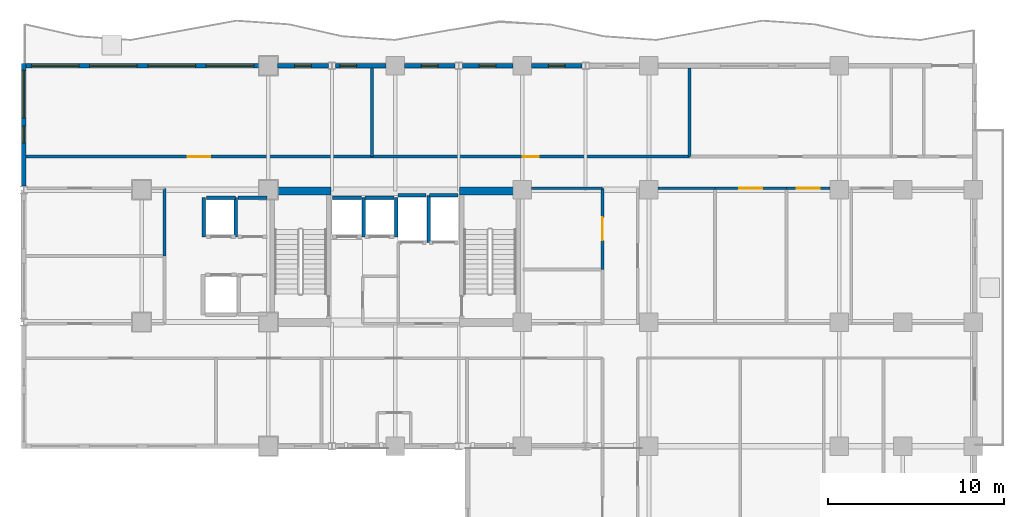
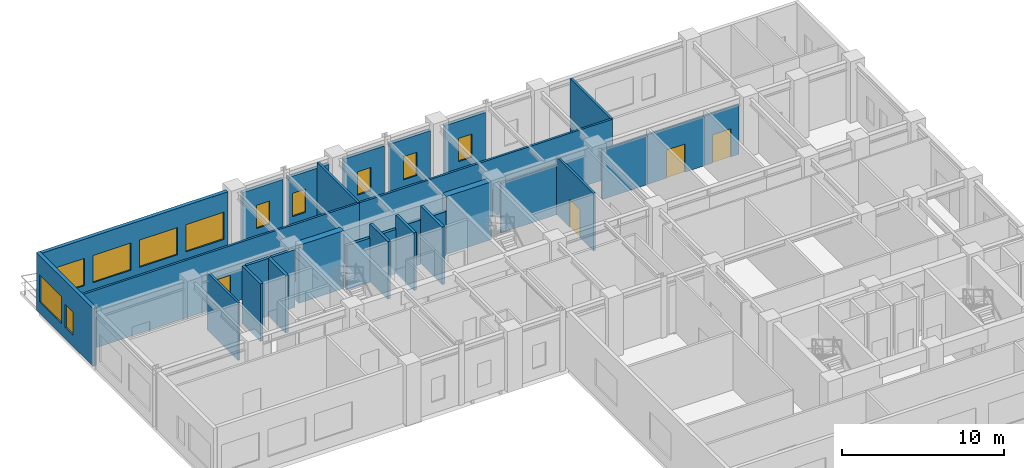
# One storey, part 8 of 14: 30 walls, 11 windows, 5 doors, 16 openings.
"""IFC4 building model written with IfcOpenShell, lengths in metres."""

from ifc_helpers import new_model, si_unit, direction, frame, frame_2d, origin, place, context, subcontext, project, spatial, rectangle, extrude, material, layer, layer_set, type_object, element, fill, save


model = new_model("IFC4")

# Units and contexts
model_context = context("Model", 3, precision=1e-05, world=origin(), true_north=direction((0.0, 1.0)))
body_context = subcontext(model_context, "Body", "Model", "MODEL_VIEW")
ifc_project = project(units=[si_unit("LENGTHUNIT", "METRE"), si_unit("AREAUNIT", "SQUARE_METRE"), si_unit("VOLUMEUNIT", "CUBIC_METRE"), si_unit("PLANEANGLEUNIT", "RADIAN"), si_unit("MASSUNIT", "GRAM", prefix="KILO")], contexts=[model_context])

# Site, building, storey
site_placement = place(None, origin())
site = spatial("IfcSite", under=ifc_project, at=site_placement, CompositionType="ELEMENT")
building_placement = place(site_placement, origin())
building = spatial("IfcBuilding", under=site, at=building_placement, Name="Kaliganga Portal Commons", CompositionType="ELEMENT")
storey_placement = place(building_placement, frame((0.0, 0.0, 135.60009765625)))
storey = spatial("IfcBuildingStorey", under=building, at=storey_placement, Name="L34", CompositionType="ELEMENT", Elevation=135.60009765625)

# Walls
ifc_material_1 = material(Name="Concrete C60/75", Category="concrete")
ifc_layer_1 = layer(ifc_material_1, 0.449951171875)
ifc_layer_set_1 = layer_set([ifc_layer_1], Name="Concrete C60/75")
wall_type_1 = type_object("IfcWallType", Name="WL-CORE-450", PredefinedType="SHEAR", material=ifc_layer_set_1)
for number, where, z_axis, x_axis, name in (
    (1, (14.75, 36.074951171875, 0.0), (0.0, 0.0, 1.0), (1.0, 0.0, 0.0), "Core A N-West Shear Wall L34"),
    (2, (25.25, 36.074951171875, 0.0), (0.0, 0.0, 1.0), (1.0, 0.0, 0.0), "Core A N-East Shear Wall L34"),
):
    element("IfcWall", number, at=place(storey_placement, frame(where, z_axis=z_axis, x_axis=x_axis)), inside=storey, type_object=wall_type_1, Name=name, PredefinedType="SHEAR", context=body_context, shape_type="SweptSolid", body=[
        extrude(rectangle(XDim=3.199951171875, YDim=0.449951171875, at=frame_2d((1.60009765625, 0.0))), origin(), (0.0, 0.0, 1.0), 4.35986328125),
    ])

# Wall, opening, window
ifc_material_2 = material(Name="Insulated Aluminium-Clad Spandrel Assembly", Category="aluminium")
ifc_layer_2 = layer(ifc_material_2, 0.260009765625)
ifc_layer_set_2 = layer_set([ifc_layer_2], Name="Insulated Aluminium-Clad Spandrel Assembly")
wall_type_2 = type_object("IfcWallType", Name="WL-EXT-SPAND-260", PredefinedType="STANDARD", material=ifc_layer_set_2)
wall_1_placement = place(storey_placement, frame((29.325927734375, 43.199951171875, 0.0), z_axis=(0.0, 0.0, 1.0), x_axis=(1.0, 0.0, 0.0)))
wall_1 = element("IfcWall", 3, at=wall_1_placement, inside=storey, type_object=wall_type_2, Name="Exterior Envelope Wall L34 P1-E02-S4", PredefinedType="STANDARD", context=body_context, shape_type="SweptSolid", body=[
    extrude(rectangle(XDim=2.87109375, YDim=0.260009765625, at=frame_2d((1.435546875, 0.0))), origin(), (0.0, 0.0, 1.0), 3.889892578125),
])
opening_1_placement = place(wall_1_placement, frame((0.96044921875, 0.0, 0.85009765625)))
opening_1 = element("IfcOpeningElement", 4, at=opening_1_placement, cuts=wall_1, Name="Opening W-04", PredefinedType="OPENING", context=body_context, shape_type="SweptSolid", body=[
    extrude(rectangle(XDim=0.949951171875, YDim=1.75, at=frame_2d((0.47509765625, 0.875))), frame((0.0, 0.14013671875, 0.0), z_axis=(0.0, -1.0, 0.0), x_axis=(1.0, 0.0, 0.0)), (0.0, 0.0, 1.0), 0.280029296875),
])
ifc_material_3 = material(Name="Thermally Broken Aluminium and Low-E Double Glazing", Category="aluminium")
window_type_1 = type_object("IfcWindowType", Name="WIN-NARROW-950", PartitioningType="SINGLE_PANEL", PredefinedType="WINDOW", material=ifc_material_3)
window_1_placement = place(opening_1_placement, origin())
window_1 = element("IfcWindow", 5, at=window_1_placement, inside=storey, type_object=window_type_1, Name="Facade Window L34-P1E02S4-00", OverallHeight=1.75, OverallWidth=0.949951171875, PartitioningType="SINGLE_PANEL", PredefinedType="WINDOW", context=body_context, shape_type="SweptSolid", body=[
    extrude(rectangle(XDim=0.949951171875, YDim=1.75, at=frame_2d((0.47509765625, 0.875))), frame((0.0, 0.030029296875, 0.0), z_axis=(0.0, -1.0, 0.0), x_axis=(1.0, 0.0, 0.0)), (0.0, 0.0, 1.0), 0.06005859375),
])
fill(opening_1, window_1)

wall_2_placement = place(storey_placement, frame((25.403076171875, 43.199951171875, 0.0), z_axis=(0.0, 0.0, 1.0), x_axis=(1.0, 0.0, 0.0)))
wall_2 = element("IfcWall", 6, at=wall_2_placement, inside=storey, type_object=wall_type_2, Name="Exterior Envelope Wall L34 P1-E02-S5", PredefinedType="STANDARD", context=body_context, shape_type="SweptSolid", body=[
    extrude(rectangle(XDim=2.870849609375, YDim=0.260009765625, at=frame_2d((1.435546875, 0.0))), origin(), (0.0, 0.0, 1.0), 3.889892578125),
])
opening_2_placement = place(wall_2_placement, frame((0.96044921875, 0.0, 0.85009765625)))
opening_2 = element("IfcOpeningElement", 7, at=opening_2_placement, cuts=wall_2, Name="Opening W-04", PredefinedType="OPENING", context=body_context, shape_type="SweptSolid", body=[
    extrude(rectangle(XDim=0.949951171875, YDim=1.75, at=frame_2d((0.47509765625, 0.875))), frame((0.0, 0.14013671875, 0.0), z_axis=(0.0, -1.0, 0.0), x_axis=(1.0, 0.0, 0.0)), (0.0, 0.0, 1.0), 0.280029296875),
])
window_2_placement = place(opening_2_placement, origin())
window_2 = element("IfcWindow", 8, at=window_2_placement, inside=storey, type_object=window_type_1, Name="Facade Window L34-P1E02S5-00", OverallHeight=1.75, OverallWidth=0.949951171875, PartitioningType="SINGLE_PANEL", PredefinedType="WINDOW", context=body_context, shape_type="SweptSolid", body=[
    extrude(rectangle(XDim=0.949951171875, YDim=1.75, at=frame_2d((0.47509765625, 0.875))), frame((0.0, 0.030029296875, 0.0), z_axis=(0.0, -1.0, 0.0), x_axis=(1.0, 0.0, 0.0)), (0.0, 0.0, 1.0), 0.06005859375),
])
fill(opening_2, window_2)

wall_3_placement = place(storey_placement, frame((22.1259765625, 43.199951171875, 0.0), z_axis=(0.0, 0.0, 1.0), x_axis=(1.0, 0.0, 0.0)))
wall_3 = element("IfcWall", 9, at=wall_3_placement, inside=storey, type_object=wall_type_2, Name="Exterior Envelope Wall L34 P1-E02-S6", PredefinedType="STANDARD", context=body_context, shape_type="SweptSolid", body=[
    extrude(rectangle(XDim=2.87109375, YDim=0.260009765625, at=frame_2d((1.435546875, 0.0))), origin(), (0.0, 0.0, 1.0), 3.889892578125),
])
opening_3_placement = place(wall_3_placement, frame((0.96044921875, 0.0, 0.85009765625)))
opening_3 = element("IfcOpeningElement", 10, at=opening_3_placement, cuts=wall_3, Name="Opening W-04", PredefinedType="OPENING", context=body_context, shape_type="SweptSolid", body=[
    extrude(rectangle(XDim=0.949951171875, YDim=1.75, at=frame_2d((0.47509765625, 0.875))), frame((0.0, 0.14013671875, 0.0), z_axis=(0.0, -1.0, 0.0), x_axis=(1.0, 0.0, 0.0)), (0.0, 0.0, 1.0), 0.280029296875),
])
window_3_placement = place(opening_3_placement, origin())
window_3 = element("IfcWindow", 11, at=window_3_placement, inside=storey, type_object=window_type_1, Name="Facade Window L34-P1E02S6-00", OverallHeight=1.75, OverallWidth=0.949951171875, PartitioningType="SINGLE_PANEL", PredefinedType="WINDOW", context=body_context, shape_type="SweptSolid", body=[
    extrude(rectangle(XDim=0.949951171875, YDim=1.75, at=frame_2d((0.47509765625, 0.875))), frame((0.0, 0.030029296875, 0.0), z_axis=(0.0, -1.0, 0.0), x_axis=(1.0, 0.0, 0.0)), (0.0, 0.0, 1.0), 0.06005859375),
])
fill(opening_3, window_3)

wall_4_placement = place(storey_placement, frame((18.202880859375, 43.199951171875, 0.0), z_axis=(0.0, 0.0, 1.0), x_axis=(1.0, 0.0, 0.0)))
wall_4 = element("IfcWall", 12, at=wall_4_placement, inside=storey, type_object=wall_type_2, Name="Exterior Envelope Wall L34 P1-E02-S7", PredefinedType="STANDARD", context=body_context, shape_type="SweptSolid", body=[
    extrude(rectangle(XDim=2.87109375, YDim=0.260009765625, at=frame_2d((1.435546875, 0.0))), origin(), (0.0, 0.0, 1.0), 3.889892578125),
])
opening_4_placement = place(wall_4_placement, frame((0.24853515625, 0.0, 0.85009765625)))
opening_4 = element("IfcOpeningElement", 13, at=opening_4_placement, cuts=wall_4, Name="Opening W-04", PredefinedType="OPENING", context=body_context, shape_type="SweptSolid", body=[
    extrude(rectangle(XDim=0.949951171875, YDim=1.75, at=frame_2d((0.47509765625, 0.875))), frame((0.0, 0.14013671875, 0.0), z_axis=(0.0, -1.0, 0.0), x_axis=(1.0, 0.0, 0.0)), (0.0, 0.0, 1.0), 0.280029296875),
])
window_4_placement = place(opening_4_placement, origin())
window_4 = element("IfcWindow", 14, at=window_4_placement, inside=storey, type_object=window_type_1, Name="Facade Window L34-P1E02S7-N1", OverallHeight=1.75, OverallWidth=0.949951171875, PartitioningType="SINGLE_PANEL", PredefinedType="WINDOW", context=body_context, shape_type="SweptSolid", body=[
    extrude(rectangle(XDim=0.949951171875, YDim=1.75, at=frame_2d((0.47509765625, 0.875))), frame((0.0, 0.030029296875, 0.0), z_axis=(0.0, -1.0, 0.0), x_axis=(1.0, 0.0, 0.0)), (0.0, 0.0, 1.0), 0.06005859375),
])
fill(opening_4, window_4)

wall_5_placement = place(storey_placement, frame((14.926025390625, 43.199951171875, 0.0), z_axis=(0.0, 0.0, 1.0), x_axis=(1.0, 0.0, 0.0)))
wall_5 = element("IfcWall", 15, at=wall_5_placement, inside=storey, type_object=wall_type_2, Name="Exterior Envelope Wall L34 P1-E02-S8", PredefinedType="STANDARD", context=body_context, shape_type="SweptSolid", body=[
    extrude(rectangle(XDim=2.87109375, YDim=0.260009765625, at=frame_2d((1.435546875, 0.0))), origin(), (0.0, 0.0, 1.0), 3.889892578125),
])
opening_5_placement = place(wall_5_placement, frame((0.96044921875, 0.0, 0.85009765625)))
opening_5 = element("IfcOpeningElement", 16, at=opening_5_placement, cuts=wall_5, Name="Opening W-04", PredefinedType="OPENING", context=body_context, shape_type="SweptSolid", body=[
    extrude(rectangle(XDim=0.949951171875, YDim=1.75, at=frame_2d((0.47509765625, 0.875))), frame((0.0, 0.14013671875, 0.0), z_axis=(0.0, -1.0, 0.0), x_axis=(1.0, 0.0, 0.0)), (0.0, 0.0, 1.0), 0.280029296875),
])
window_5_placement = place(opening_5_placement, origin())
window_5 = element("IfcWindow", 17, at=window_5_placement, inside=storey, type_object=window_type_1, Name="Facade Window L34-P1E02S8-00", OverallHeight=1.75, OverallWidth=0.949951171875, PartitioningType="SINGLE_PANEL", PredefinedType="WINDOW", context=body_context, shape_type="SweptSolid", body=[
    extrude(rectangle(XDim=0.949951171875, YDim=1.75, at=frame_2d((0.47509765625, 0.875))), frame((0.0, 0.030029296875, 0.0), z_axis=(0.0, -1.0, 0.0), x_axis=(1.0, 0.0, 0.0)), (0.0, 0.0, 1.0), 0.06005859375),
])
fill(opening_5, window_5)

# Wall, openings, windows
wall_6_placement = place(storey_placement, frame((0.635009765625, 43.199951171875, 0.0), z_axis=(0.0, 0.0, 1.0), x_axis=(1.0, 0.0, 0.0)))
wall_6 = element("IfcWall", 18, at=wall_6_placement, inside=storey, type_object=wall_type_2, Name="Exterior Envelope Wall L34 P1-E02-S9", PredefinedType="STANDARD", context=body_context, shape_type="SweptSolid", body=[
    extrude(rectangle(XDim=13.239013671875, YDim=0.260009765625, at=frame_2d((6.61962890625, 0.0))), origin(), (0.0, 0.0, 1.0), 4.33984375),
])
opening_6_placement = place(wall_6_placement, frame((0.304931640625, 0.0, 0.85009765625)))
opening_6 = element("IfcOpeningElement", 19, at=opening_6_placement, cuts=wall_6, Name="Opening W-07", PredefinedType="OPENING", context=body_context, shape_type="SweptSolid", body=[
    extrude(rectangle(XDim=2.699951171875, YDim=2.050048828125, at=frame_2d((1.35009765625, 1.02490234375))), frame((0.0, 0.14013671875, 0.0), z_axis=(0.0, -1.0, 0.0), x_axis=(1.0, 0.0, 0.0)), (0.0, 0.0, 1.0), 0.280029296875),
])
opening_7_placement = place(wall_6_placement, frame((3.614501953125, 0.0, 0.85009765625)))
opening_7 = element("IfcOpeningElement", 20, at=opening_7_placement, cuts=wall_6, Name="Opening W-07", PredefinedType="OPENING", context=body_context, shape_type="SweptSolid", body=[
    extrude(rectangle(XDim=2.699951171875, YDim=2.050048828125, at=frame_2d((1.35009765625, 1.02490234375))), frame((0.0, 0.14013671875, 0.0), z_axis=(0.0, -1.0, 0.0), x_axis=(1.0, 0.0, 0.0)), (0.0, 0.0, 1.0), 0.280029296875),
])
opening_8_placement = place(wall_6_placement, frame((6.92431640625, 0.0, 0.85009765625)))
opening_8 = element("IfcOpeningElement", 21, at=opening_8_placement, cuts=wall_6, Name="Opening W-07", PredefinedType="OPENING", context=body_context, shape_type="SweptSolid", body=[
    extrude(rectangle(XDim=2.699951171875, YDim=2.050048828125, at=frame_2d((1.35009765625, 1.02490234375))), frame((0.0, 0.14013671875, 0.0), z_axis=(0.0, -1.0, 0.0), x_axis=(1.0, 0.0, 0.0)), (0.0, 0.0, 1.0), 0.280029296875),
])
opening_9_placement = place(wall_6_placement, frame((10.234130859375, 0.0, 0.85009765625)))
opening_9 = element("IfcOpeningElement", 22, at=opening_9_placement, cuts=wall_6, Name="Opening W-07", PredefinedType="OPENING", context=body_context, shape_type="SweptSolid", body=[
    extrude(rectangle(XDim=2.699951171875, YDim=2.050048828125, at=frame_2d((1.35009765625, 1.02490234375))), frame((0.0, 0.14013671875, 0.0), z_axis=(0.0, -1.0, 0.0), x_axis=(1.0, 0.0, 0.0)), (0.0, 0.0, 1.0), 0.280029296875),
])
window_type_2 = type_object("IfcWindowType", Name="WIN-LOUNGE-2700", PartitioningType="TRIPLE_PANEL_VERTICAL", PredefinedType="WINDOW", material=ifc_material_3)
window_6_placement = place(opening_6_placement, origin())
window_6 = element("IfcWindow", 23, at=window_6_placement, inside=storey, type_object=window_type_2, Name="Facade Window L34-P1E02S9-00", OverallHeight=2.050048828125, OverallWidth=2.699951171875, PartitioningType="SINGLE_PANEL", PredefinedType="WINDOW", context=body_context, shape_type="SweptSolid", body=[
    extrude(rectangle(XDim=2.699951171875, YDim=2.050048828125, at=frame_2d((1.35009765625, 1.02490234375))), frame((0.0, 0.030029296875, 0.0), z_axis=(0.0, -1.0, 0.0), x_axis=(1.0, 0.0, 0.0)), (0.0, 0.0, 1.0), 0.06005859375),
])
fill(opening_6, window_6)
window_7_placement = place(opening_7_placement, origin())
window_7 = element("IfcWindow", 24, at=window_7_placement, inside=storey, type_object=window_type_2, Name="Facade Window L34-P1E02S9-01", OverallHeight=2.050048828125, OverallWidth=2.699951171875, PartitioningType="SINGLE_PANEL", PredefinedType="WINDOW", context=body_context, shape_type="SweptSolid", body=[
    extrude(rectangle(XDim=2.699951171875, YDim=2.050048828125, at=frame_2d((1.35009765625, 1.02490234375))), frame((0.0, 0.030029296875, 0.0), z_axis=(0.0, -1.0, 0.0), x_axis=(1.0, 0.0, 0.0)), (0.0, 0.0, 1.0), 0.06005859375),
])
fill(opening_7, window_7)
window_8_placement = place(opening_8_placement, origin())
window_8 = element("IfcWindow", 25, at=window_8_placement, inside=storey, type_object=window_type_2, Name="Facade Window L34-P1E02S9-02", OverallHeight=2.050048828125, OverallWidth=2.699951171875, PartitioningType="SINGLE_PANEL", PredefinedType="WINDOW", context=body_context, shape_type="SweptSolid", body=[
    extrude(rectangle(XDim=2.699951171875, YDim=2.050048828125, at=frame_2d((1.35009765625, 1.02490234375))), frame((0.0, 0.030029296875, 0.0), z_axis=(0.0, -1.0, 0.0), x_axis=(1.0, 0.0, 0.0)), (0.0, 0.0, 1.0), 0.06005859375),
])
fill(opening_8, window_8)
window_9_placement = place(opening_9_placement, origin())
window_9 = element("IfcWindow", 26, at=window_9_placement, inside=storey, type_object=window_type_2, Name="Facade Window L34-P1E02S9-03", OverallHeight=2.050048828125, OverallWidth=2.699951171875, PartitioningType="SINGLE_PANEL", PredefinedType="WINDOW", context=body_context, shape_type="SweptSolid", body=[
    extrude(rectangle(XDim=2.699951171875, YDim=2.050048828125, at=frame_2d((1.35009765625, 1.02490234375))), frame((0.0, 0.030029296875, 0.0), z_axis=(0.0, -1.0, 0.0), x_axis=(1.0, 0.0, 0.0)), (0.0, 0.0, 1.0), 0.06005859375),
])
fill(opening_9, window_9)

wall_7_placement = place(storey_placement, frame((0.5, 36.35791015625, 0.0), z_axis=(0.0, 0.0, 1.0), x_axis=(0.0, 1.0, 0.0)))
wall_7 = element("IfcWall", 27, at=wall_7_placement, inside=storey, type_object=wall_type_2, Name="Exterior Envelope Wall L34 P1-E03-S1", PredefinedType="STANDARD", context=body_context, shape_type="SweptSolid", body=[
    extrude(rectangle(XDim=6.97216796875, YDim=0.260009765625, at=frame_2d((3.486083984375, 0.0))), origin(), (0.0, 0.0, 1.0), 4.33984375),
])
opening_10_placement = place(wall_7_placement, frame((3.87890625, 0.0, 0.85009765625)))
opening_10 = element("IfcOpeningElement", 28, at=opening_10_placement, cuts=wall_7, Name="Opening W-07", PredefinedType="OPENING", context=body_context, shape_type="SweptSolid", body=[
    extrude(rectangle(XDim=2.699951171875, YDim=2.050048828125, at=frame_2d((1.35009765625, 1.02490234375))), frame((0.0, 0.14013671875, 0.0), z_axis=(0.0, -1.0, 0.0), x_axis=(1.0, 0.0, 0.0)), (0.0, 0.0, 1.0), 0.280029296875),
])
opening_11_placement = place(wall_7_placement, frame((2.453125, 0.0, 0.85009765625)))
opening_11 = element("IfcOpeningElement", 29, at=opening_11_placement, cuts=wall_7, Name="Opening W-04", PredefinedType="OPENING", context=body_context, shape_type="SweptSolid", body=[
    extrude(rectangle(XDim=0.949951171875, YDim=1.75, at=frame_2d((0.47509765625, 0.875))), frame((0.0, 0.14013671875, 0.0), z_axis=(0.0, -1.0, 0.0), x_axis=(1.0, 0.0, 0.0)), (0.0, 0.0, 1.0), 0.280029296875),
])
window_10_placement = place(opening_10_placement, origin())
window_10 = element("IfcWindow", 30, at=window_10_placement, inside=storey, type_object=window_type_2, Name="Facade Window L34-P1E03S1-01", OverallHeight=2.050048828125, OverallWidth=2.699951171875, PartitioningType="SINGLE_PANEL", PredefinedType="WINDOW", context=body_context, shape_type="SweptSolid", body=[
    extrude(rectangle(XDim=2.699951171875, YDim=2.050048828125, at=frame_2d((1.35009765625, 1.02490234375))), frame((0.0, 0.030029296875, 0.0), z_axis=(0.0, -1.0, 0.0), x_axis=(1.0, 0.0, 0.0)), (0.0, 0.0, 1.0), 0.06005859375),
])
fill(opening_10, window_10)
window_11_placement = place(opening_11_placement, origin())
window_11 = element("IfcWindow", 31, at=window_11_placement, inside=storey, type_object=window_type_1, Name="Facade Window L34-P1E03S1-N5", OverallHeight=1.75, OverallWidth=0.949951171875, PartitioningType="SINGLE_PANEL", PredefinedType="WINDOW", context=body_context, shape_type="SweptSolid", body=[
    extrude(rectangle(XDim=0.949951171875, YDim=1.75, at=frame_2d((0.47509765625, 0.875))), frame((0.0, 0.030029296875, 0.0), z_axis=(0.0, -1.0, 0.0), x_axis=(1.0, 0.0, 0.0)), (0.0, 0.0, 1.0), 0.06005859375),
])
fill(opening_11, window_11)

# Wall, opening, door
ifc_material_4 = material(Name="Fire-Rated Gypsum Board on Steel Stud", Category="steel")
ifc_layer_3 = layer(ifc_material_4, 0.14990234375)
ifc_layer_set_3 = layer_set([ifc_layer_3], Name="Fire-Rated Gypsum Board on Steel Stud")
wall_type_3 = type_object("IfcWallType", Name="WL-PART-CORR-150", PredefinedType="PARTITIONING", material=ifc_layer_set_3)
wall_8_placement = place(storey_placement, frame((0.632080078125, 38.0400390625, 0.0), z_axis=(0.0, 0.0, 1.0), x_axis=(1.0, 0.0, 0.0)))
wall_8 = element("IfcWall", 32, at=wall_8_placement, inside=storey, type_object=wall_type_3, Name="Interior Partition L34-004", PredefinedType="PARTITIONING", context=body_context, shape_type="SweptSolid", body=[
    extrude(rectangle(XDim=19.64794921875, YDim=0.14990234375, at=frame_2d((9.823974609375, 0.0))), origin(), (0.0, 0.0, 1.0), 4.33984375),
])
opening_12_placement = place(wall_8_placement, frame((9.174072265625, 0.0, 0.0)))
opening_12 = element("IfcOpeningElement", 33, at=opening_12_placement, cuts=wall_8, Name="Opening RD-03", PredefinedType="OPENING", context=body_context, shape_type="SweptSolid", body=[
    extrude(rectangle(XDim=1.300048828125, YDim=2.1201171875, at=frame_2d((0.64990234375, 1.06005859375))), frame((0.0, 0.0849609375, 0.0), z_axis=(0.0, -1.0, 0.0), x_axis=(1.0, 0.0, 0.0)), (0.0, 0.0, 1.0), 0.169921875),
])
ifc_material_5 = material(Name="Glazed Timber Seminar Vision Door", Category="wood")
door_type_1 = type_object("IfcDoorType", Name="DR-STUDY-1300", OperationType="DOUBLE_DOOR_SINGLE_SWING", PredefinedType="DOOR", material=ifc_material_5)
door_1_placement = place(opening_12_placement, origin())
door_1 = element("IfcDoor", 34, at=door_1_placement, inside=storey, type_object=door_type_1, Name="Interior Door L34-AN01", OperationType="DOUBLE_DOOR_SINGLE_SWING", OverallHeight=2.1201171875, OverallWidth=1.300048828125, PredefinedType="DOOR", context=body_context, shape_type="SweptSolid", body=[
    extrude(rectangle(XDim=1.300048828125, YDim=2.1201171875, at=frame_2d((0.64990234375, 1.06005859375))), frame((0.0, 0.02490234375, 0.0), z_axis=(0.0, -1.0, 0.0), x_axis=(1.0, 0.0, 0.0)), (0.0, 0.0, 1.0), 0.050048828125),
])
fill(opening_12, door_1)

wall_9_placement = place(storey_placement, frame((20.280029296875, 38.0400390625, 0.0), z_axis=(0.0, 0.0, 1.0), x_axis=(1.0, 0.0, 0.0)))
wall_9 = element("IfcWall", 35, at=wall_9_placement, inside=storey, type_object=wall_type_3, Name="Interior Partition L34-005", PredefinedType="PARTITIONING", context=body_context, shape_type="SweptSolid", body=[
    extrude(rectangle(XDim=18.02001953125, YDim=0.14990234375, at=frame_2d((9.010009765625, 0.0))), origin(), (0.0, 0.0, 1.0), 4.33984375),
])
opening_13_placement = place(wall_9_placement, frame((8.56005859375, 0.0, 0.0)))
opening_13 = element("IfcOpeningElement", 36, at=opening_13_placement, cuts=wall_9, Name="Opening RD-01", PredefinedType="OPENING", context=body_context, shape_type="SweptSolid", body=[
    extrude(rectangle(XDim=0.89990234375, YDim=2.080078125, at=frame_2d((0.449951171875, 1.0400390625))), frame((0.0, 0.0849609375, 0.0), z_axis=(0.0, -1.0, 0.0), x_axis=(1.0, 0.0, 0.0)), (0.0, 0.0, 1.0), 0.169921875),
])
ifc_material_6 = material(Name="Engineered Timber Flush Door", Category="wood")
door_type_2 = type_object("IfcDoorType", Name="DR-ROOM-900", OperationType="NOTDEFINED", PredefinedType="DOOR", material=ifc_material_6)
door_2_placement = place(opening_13_placement, origin())
door_2 = element("IfcDoor", 37, at=door_2_placement, inside=storey, type_object=door_type_2, Name="Interior Door L34-AN02", OperationType="SINGLE_SWING_LEFT", OverallHeight=2.080078125, OverallWidth=0.89990234375, PredefinedType="DOOR", context=body_context, shape_type="SweptSolid", body=[
    extrude(rectangle(XDim=0.89990234375, YDim=2.080078125, at=frame_2d((0.449951171875, 1.0400390625))), frame((0.0, 0.02490234375, 0.0), z_axis=(0.0, -1.0, 0.0), x_axis=(1.0, 0.0, 0.0)), (0.0, 0.0, 1.0), 0.050048828125),
])
fill(opening_13, door_2)

wall_10_placement = place(storey_placement, frame((33.360107421875, 31.639892578125, 0.0), z_axis=(0.0, 0.0, 1.0), x_axis=(0.0, 1.0, 0.0)))
wall_10 = element("IfcWall", 38, at=wall_10_placement, inside=storey, type_object=wall_type_3, Name="Interior Partition L34-029", PredefinedType="PARTITIONING", context=body_context, shape_type="SweptSolid", body=[
    extrude(rectangle(XDim=4.60009765625, YDim=0.14990234375, at=frame_2d((2.300048828125, 0.0))), origin(), (0.0, 0.0, 1.0), 4.33984375),
])
opening_14_placement = place(wall_10_placement, frame((1.64990234375, 0.0, 0.0)))
opening_14 = element("IfcOpeningElement", 39, at=opening_14_placement, cuts=wall_10, Name="Opening RD-03", PredefinedType="OPENING", context=body_context, shape_type="SweptSolid", body=[
    extrude(rectangle(XDim=1.300048828125, YDim=2.1201171875, at=frame_2d((0.64990234375, 1.06005859375))), frame((0.0, 0.0849609375, 0.0), z_axis=(0.0, -1.0, 0.0), x_axis=(1.0, 0.0, 0.0)), (0.0, 0.0, 1.0), 0.169921875),
])
door_3_placement = place(opening_14_placement, origin())
door_3 = element("IfcDoor", 40, at=door_3_placement, inside=storey, type_object=door_type_1, Name="Interior Door L34-CSRV_A2", OperationType="DOUBLE_DOOR_SINGLE_SWING", OverallHeight=2.1201171875, OverallWidth=1.300048828125, PredefinedType="DOOR", context=body_context, shape_type="SweptSolid", body=[
    extrude(rectangle(XDim=1.300048828125, YDim=2.1201171875, at=frame_2d((0.64990234375, 1.06005859375))), frame((0.0, 0.02490234375, 0.0), z_axis=(0.0, -1.0, 0.0), x_axis=(1.0, 0.0, 0.0)), (0.0, 0.0, 1.0), 0.050048828125),
])
fill(opening_14, door_3)

# Walls
wall_11_placement = place(storey_placement, frame((29.324951171875, 36.239990234375, 0.0), z_axis=(0.0, 0.0, 1.0), x_axis=(1.0, 0.0, 0.0)))
element("IfcWall", 41, at=wall_11_placement, inside=storey, type_object=wall_type_3, Name="Interior Partition L34-031", PredefinedType="PARTITIONING", context=body_context, shape_type="SweptSolid", body=[
    extrude(rectangle(XDim=4.03515625, YDim=0.14990234375, at=frame_2d((2.017578125, 0.0))), origin(), (0.0, 0.0, 1.0), 3.739990234375),
])
wall_12_placement = place(storey_placement, frame((36.52490234375, 36.239990234375, 0.0), z_axis=(0.0, 0.0, 1.0), x_axis=(1.0, 0.0, 0.0)))
element("IfcWall", 42, at=wall_12_placement, inside=storey, type_object=wall_type_3, Name="Interior Partition L34-032", PredefinedType="PARTITIONING", context=body_context, shape_type="SweptSolid", body=[
    extrude(rectangle(XDim=3.215087890625, YDim=0.14990234375, at=frame_2d((1.607421875, 0.0))), origin(), (0.0, 0.0, 1.0), 3.739990234375),
])

# Wall, opening, door
wall_13_placement = place(storey_placement, frame((39.739990234375, 36.239990234375, 0.0), z_axis=(0.0, 0.0, 1.0), x_axis=(1.0, 0.0, 0.0)))
wall_13 = element("IfcWall", 43, at=wall_13_placement, inside=storey, type_object=wall_type_3, Name="Interior Partition L34-033", PredefinedType="PARTITIONING", context=body_context, shape_type="SweptSolid", body=[
    extrude(rectangle(XDim=4.06005859375, YDim=0.14990234375, at=frame_2d((2.030029296875, 0.0))), origin(), (0.0, 0.0, 1.0), 3.739990234375),
])
opening_15_placement = place(wall_13_placement, frame((1.3798828125, 0.0, 0.0)))
opening_15 = element("IfcOpeningElement", 44, at=opening_15_placement, cuts=wall_13, Name="Opening RD-03", PredefinedType="OPENING", context=body_context, shape_type="SweptSolid", body=[
    extrude(rectangle(XDim=1.300048828125, YDim=2.1201171875, at=frame_2d((0.64990234375, 1.06005859375))), frame((0.0, 0.0849609375, 0.0), z_axis=(0.0, -1.0, 0.0), x_axis=(1.0, 0.0, 0.0)), (0.0, 0.0, 1.0), 0.169921875),
])
door_4_placement = place(opening_15_placement, origin())
door_4 = element("IfcDoor", 45, at=door_4_placement, inside=storey, type_object=door_type_1, Name="Interior Door L34-BK02", OperationType="DOUBLE_DOOR_SINGLE_SWING", OverallHeight=2.1201171875, OverallWidth=1.300048828125, PredefinedType="DOOR", context=body_context, shape_type="SweptSolid", body=[
    extrude(rectangle(XDim=1.300048828125, YDim=2.1201171875, at=frame_2d((0.64990234375, 1.06005859375))), frame((0.0, 0.02490234375, 0.0), z_axis=(0.0, -1.0, 0.0), x_axis=(1.0, 0.0, 0.0)), (0.0, 0.0, 1.0), 0.050048828125),
])
fill(opening_15, door_4)

# Wall
wall_14_placement = place(storey_placement, frame((8.5, 32.39990234375, 0.0), z_axis=(0.0, 0.0, 1.0), x_axis=(0.0, 1.0, 0.0)))
element("IfcWall", 46, at=wall_14_placement, inside=storey, type_object=wall_type_3, Name="Interior Partition L34-034", PredefinedType="PARTITIONING", context=body_context, shape_type="SweptSolid", body=[
    extrude(rectangle(XDim=3.840087890625, YDim=0.14990234375, at=frame_2d((1.919921875, 0.0))), origin(), (0.0, 0.0, 1.0), 4.33984375),
])

# Wall, opening, door
wall_15_placement = place(storey_placement, frame((43.800048828125, 36.239990234375, 0.0), z_axis=(0.0, 0.0, 1.0), x_axis=(1.0, 0.0, 0.0)))
wall_15 = element("IfcWall", 47, at=wall_15_placement, inside=storey, type_object=wall_type_3, Name="Interior Partition L34-036", PredefinedType="PARTITIONING", context=body_context, shape_type="SweptSolid", body=[
    extrude(rectangle(XDim=2.474853515625, YDim=0.14990234375, at=frame_2d((1.2373046875, 0.0))), origin(), (0.0, 0.0, 1.0), 3.739990234375),
])
opening_16_placement = place(wall_15_placement, frame((0.58740234375, 0.0, 0.0)))
opening_16 = element("IfcOpeningElement", 48, at=opening_16_placement, cuts=wall_15, Name="Opening RD-03", PredefinedType="OPENING", context=body_context, shape_type="SweptSolid", body=[
    extrude(rectangle(XDim=1.300048828125, YDim=2.1201171875, at=frame_2d((0.64990234375, 1.06005859375))), frame((0.0, 0.0849609375, 0.0), z_axis=(0.0, -1.0, 0.0), x_axis=(1.0, 0.0, 0.0)), (0.0, 0.0, 1.0), 0.169921875),
])
door_5_placement = place(opening_16_placement, origin())
door_5 = element("IfcDoor", 49, at=door_5_placement, inside=storey, type_object=door_type_1, Name="Interior Door L34-BK03", OperationType="DOUBLE_DOOR_SINGLE_SWING", OverallHeight=2.1201171875, OverallWidth=1.300048828125, PredefinedType="DOOR", context=body_context, shape_type="SweptSolid", body=[
    extrude(rectangle(XDim=1.300048828125, YDim=2.1201171875, at=frame_2d((0.64990234375, 1.06005859375))), frame((0.0, 0.02490234375, 0.0), z_axis=(0.0, -1.0, 0.0), x_axis=(1.0, 0.0, 0.0)), (0.0, 0.0, 1.0), 0.050048828125),
])
fill(opening_16, door_5)

# Walls
ifc_material_7 = material(Name="Twin-Stud Acoustic Gypsum Partition", Category="gypsum")
ifc_layer_4 = layer(ifc_material_7, 0.1650390625)
ifc_layer_set_4 = layer_set([ifc_layer_4], Name="Twin-Stud Acoustic Gypsum Partition")
wall_type_4 = type_object("IfcWallType", Name="WL-PART-UNIT-165", PredefinedType="PARTITIONING", material=ifc_layer_set_4)
for number, where, z_axis, x_axis, name in (
    (50, (20.280029296875, 38.0400390625, 0.0), (0.0, 0.0, 1.0), (0.0, 1.0, 0.0), "Interior Partition L34-058"),
    (51, (38.300048828125, 38.0400390625, 0.0), (0.0, 0.0, 1.0), (0.0, 1.0, 0.0), "Interior Partition L34-059"),
):
    element("IfcWall", number, at=place(storey_placement, frame(where, z_axis=z_axis, x_axis=x_axis)), inside=storey, type_object=wall_type_4, Name=name, PredefinedType="PARTITIONING", context=body_context, shape_type="SweptSolid", body=[
        extrude(rectangle(XDim=5.028076171875, YDim=0.1650390625, at=frame_2d((2.51416015625, 0.0))), origin(), (0.0, 0.0, 1.0), 4.33984375),
    ])
ifc_material_8 = material(Name="Fire-Rated Shaftwall Masonry Assembly", Category="masonry")
ifc_layer_5 = layer(ifc_material_8, 0.199951171875)
ifc_layer_set_5 = layer_set([ifc_layer_5], Name="Fire-Rated Shaftwall Masonry Assembly")
wall_type_5 = type_object("IfcWallType", Name="WL-SHAFT-200", PredefinedType="PARTITIONING", material=ifc_layer_set_5)
wall_16_placement = place(storey_placement, frame((18.02490234375, 35.715087890625, 0.0), z_axis=(0.0, 0.0, 1.0), x_axis=(1.0, 0.0, 0.0)))
element("IfcWall", 52, at=wall_16_placement, inside=storey, type_object=wall_type_5, Name="Lift PL-A1 Hoistway Shaft Wall L34-N", PredefinedType="PARTITIONING", context=body_context, shape_type="SweptSolid", body=[
    extrude(rectangle(XDim=1.650146484375, YDim=0.199951171875, at=frame_2d((0.8251953125, 0.0))), origin(), (0.0, 0.0, 1.0), 3.33984375),
])
wall_17_placement = place(storey_placement, frame((19.81494140625, 33.485107421875, 0.0), z_axis=(0.0, 0.0, 1.0), x_axis=(0.0, 1.0, 0.0)))
element("IfcWall", 53, at=wall_17_placement, inside=storey, type_object=wall_type_5, Name="Lift PL-A1 Hoistway Shaft Wall L34-E", PredefinedType="PARTITIONING", context=body_context, shape_type="SweptSolid", body=[
    extrude(rectangle(XDim=2.22998046875, YDim=0.199951171875, at=frame_2d((1.114990234375, 0.0))), origin(), (0.0, 0.0, 1.0), 4.33984375),
])
wall_18_placement = place(storey_placement, frame((19.875, 35.715087890625, 0.0), z_axis=(0.0, 0.0, 1.0), x_axis=(1.0, 0.0, 0.0)))
element("IfcWall", 54, at=wall_18_placement, inside=storey, type_object=wall_type_5, Name="Lift PL-A2 Hoistway Shaft Wall L34-N", PredefinedType="PARTITIONING", context=body_context, shape_type="SweptSolid", body=[
    extrude(rectangle(XDim=1.64990234375, YDim=0.199951171875, at=frame_2d((0.824951171875, 0.0))), origin(), (0.0, 0.0, 1.0), 3.33984375),
])
wall_19_placement = place(storey_placement, frame((21.6650390625, 33.485107421875, 0.0), z_axis=(0.0, 0.0, 1.0), x_axis=(0.0, 1.0, 0.0)))
element("IfcWall", 55, at=wall_19_placement, inside=storey, type_object=wall_type_5, Name="Lift PL-A2 Hoistway Shaft Wall L34-E", PredefinedType="PARTITIONING", context=body_context, shape_type="SweptSolid", body=[
    extrude(rectangle(XDim=2.22998046875, YDim=0.199951171875, at=frame_2d((1.114990234375, 0.0))), origin(), (0.0, 0.0, 1.0), 4.33984375),
])
wall_20_placement = place(storey_placement, frame((12.675048828125, 35.715087890625, 0.0), z_axis=(0.0, 0.0, 1.0), x_axis=(1.0, 0.0, 0.0)))
element("IfcWall", 56, at=wall_20_placement, inside=storey, type_object=wall_type_5, Name="Lift PL-A3 Hoistway Shaft Wall L34-N", PredefinedType="PARTITIONING", context=body_context, shape_type="SweptSolid", body=[
    extrude(rectangle(XDim=1.64990234375, YDim=0.199951171875, at=frame_2d((0.824951171875, 0.0))), origin(), (0.0, 0.0, 1.0), 4.33984375),
])
wall_21_placement = place(storey_placement, frame((12.534912109375, 33.485107421875, 0.0), z_axis=(0.0, 0.0, 1.0), x_axis=(0.0, 1.0, 0.0)))
element("IfcWall", 57, at=wall_21_placement, inside=storey, type_object=wall_type_5, Name="Lift PL-A3 Hoistway Shaft Wall L34-W", PredefinedType="PARTITIONING", context=body_context, shape_type="SweptSolid", body=[
    extrude(rectangle(XDim=2.22998046875, YDim=0.199951171875, at=frame_2d((1.114990234375, 0.0))), origin(), (0.0, 0.0, 1.0), 4.33984375),
])
wall_22_placement = place(storey_placement, frame((10.875, 35.715087890625, 0.0), z_axis=(0.0, 0.0, 1.0), x_axis=(1.0, 0.0, 0.0)))
element("IfcWall", 58, at=wall_22_placement, inside=storey, type_object=wall_type_5, Name="Lift PL-OBS Hoistway Shaft Wall L34-N", PredefinedType="PARTITIONING", context=body_context, shape_type="SweptSolid", body=[
    extrude(rectangle(XDim=1.64990234375, YDim=0.199951171875, at=frame_2d((0.824951171875, 0.0))), origin(), (0.0, 0.0, 1.0), 4.33984375),
])
wall_23_placement = place(storey_placement, frame((10.735107421875, 33.485107421875, 0.0), z_axis=(0.0, 0.0, 1.0), x_axis=(0.0, 1.0, 0.0)))
element("IfcWall", 59, at=wall_23_placement, inside=storey, type_object=wall_type_5, Name="Lift PL-OBS Hoistway Shaft Wall L34-W", PredefinedType="PARTITIONING", context=body_context, shape_type="SweptSolid", body=[
    extrude(rectangle(XDim=2.22998046875, YDim=0.199951171875, at=frame_2d((1.114990234375, 0.0))), origin(), (0.0, 0.0, 1.0), 4.33984375),
])
wall_24_placement = place(storey_placement, frame((21.75, 35.840087890625, 0.0), z_axis=(0.0, 0.0, 1.0), x_axis=(1.0, 0.0, 0.0)))
element("IfcWall", 60, at=wall_24_placement, inside=storey, type_object=wall_type_5, Name="Lift FFL-1 Hoistway Shaft Wall L34-N", PredefinedType="PARTITIONING", context=body_context, shape_type="SweptSolid", body=[
    extrude(rectangle(XDim=1.60009765625, YDim=0.199951171875, at=frame_2d((0.800048828125, 0.0))), origin(), (0.0, 0.0, 1.0), 3.33984375),
])
wall_25_placement = place(storey_placement, frame((23.489990234375, 33.159912109375, 0.0), z_axis=(0.0, 0.0, 1.0), x_axis=(0.0, 1.0, 0.0)))
element("IfcWall", 61, at=wall_25_placement, inside=storey, type_object=wall_type_5, Name="Lift FFL-1 Hoistway Shaft Wall L34-E", PredefinedType="PARTITIONING", context=body_context, shape_type="SweptSolid", body=[
    extrude(rectangle(XDim=2.68017578125, YDim=0.199951171875, at=frame_2d((1.340087890625, 0.0))), origin(), (0.0, 0.0, 1.0), 4.33984375),
])
wall_26_placement = place(storey_placement, frame((23.550048828125, 35.840087890625, 0.0), z_axis=(0.0, 0.0, 1.0), x_axis=(1.0, 0.0, 0.0)))
element("IfcWall", 62, at=wall_26_placement, inside=storey, type_object=wall_type_5, Name="Lift FFL-2 Hoistway Shaft Wall L34-N", PredefinedType="PARTITIONING", context=body_context, shape_type="SweptSolid", body=[
    extrude(rectangle(XDim=1.599853515625, YDim=0.199951171875, at=frame_2d((0.7998046875, 0.0))), origin(), (0.0, 0.0, 1.0), 3.33984375),
])

save(model, "model.ifc")
